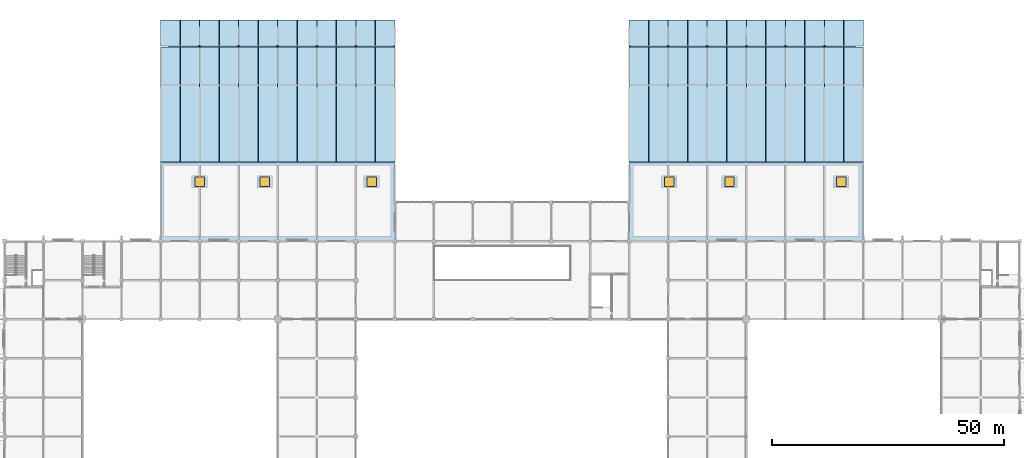
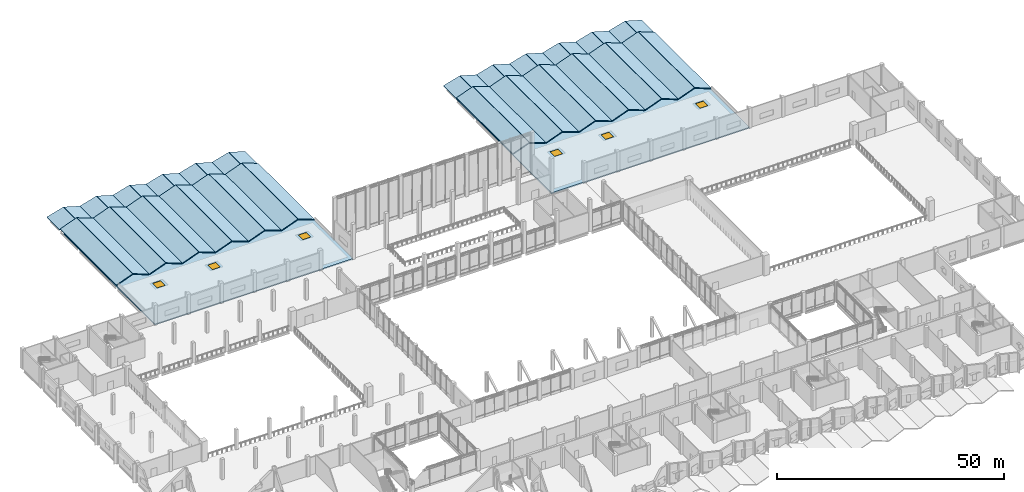
# One storey, part 46 of 72: 50 slabs, 6 windows, 6 openings.
"""IFC4 building model written with IfcOpenShell, lengths in metres."""

from ifc_helpers import new_model, si_unit, direction, frame, origin, origin_2d, place, context, subcontext, project, spatial, polyline, rectangle, outline, extrude, material, layer, layer_set, type_object, element, fill, save


model = new_model("IFC4")

# Units and contexts
model_context = context("Model", 3, precision=1e-05, world=origin(), true_north=direction((0.0, 1.0)))
body_context = subcontext(model_context, "Body", "Model", "MODEL_VIEW")
ifc_project = project(units=[si_unit("LENGTHUNIT", "METRE"), si_unit("AREAUNIT", "SQUARE_METRE"), si_unit("VOLUMEUNIT", "CUBIC_METRE"), si_unit("PLANEANGLEUNIT", "RADIAN"), si_unit("MASSUNIT", "GRAM", prefix="KILO")], contexts=[model_context])

# Site, building, storey
site_placement = place(None, origin())
site = spatial("IfcSite", under=ifc_project, at=site_placement, CompositionType="ELEMENT")
building_placement = place(site_placement, origin())
building = spatial("IfcBuilding", under=site, at=building_placement, Name="Qawsi Khor Wholesale Market", CompositionType="ELEMENT")
storey_placement = place(building_placement, frame((0.0, 0.0, 6.0)))
storey = spatial("IfcBuildingStorey", under=building, at=storey_placement, Name="L01", CompositionType="ELEMENT", Elevation=6.0)

# Slab, openings, windows
ifc_material_1 = material(Name="Concrete C40/50", Category="concrete")
ifc_layer_1 = layer(ifc_material_1, 0.300048828125, Name="Concrete C40/50")
ifc_layer_set_1 = layer_set([ifc_layer_1], Name="Concrete C40/50")
slab_type_1 = type_object("IfcSlabType", Name="Cold-Store Thermal Roof Slab 300 C40/50", PredefinedType="ROOF", material=ifc_layer_set_1)
slab_1_placement = place(storey_placement, frame((0.0, 0.0, -0.300048828125)))
slab_1 = element("IfcSlab", 1, at=slab_1_placement, inside=storey, type_object=slab_type_1, Name="NW Cold-Store Thermal Roof Slab", PredefinedType="ROOF", context=body_context, shape_type="SweptSolid", body=[
    extrude(outline(polyline([(33.60009765625, 109.199951171875), (84.0, 109.199951171875), (84.0, 151.199951171875), (35.39990234375, 151.199951171875), (33.60009765625, 149.39990234375), (33.60009765625, 109.199951171875)])), origin(), (0.0, 0.0, 1.0), 0.300048828125),
])
opening_1_placement = place(slab_1_placement, frame((42.0, 122.0, -0.010009765625)))
opening_1 = element("IfcOpeningElement", 2, at=opening_1_placement, cuts=slab_1, Name="Opening SK-03", PredefinedType="OPENING", context=body_context, shape_type="SweptSolid", body=[
    extrude(rectangle(XDim=2.0, YDim=2.0, at=origin_2d()), origin(), (0.0, 0.0, 1.0), 0.320068359375),
])
opening_2_placement = place(slab_1_placement, frame((56.0, 122.0, -0.010009765625)))
opening_2 = element("IfcOpeningElement", 3, at=opening_2_placement, cuts=slab_1, Name="Opening SK-03", PredefinedType="OPENING", context=body_context, shape_type="SweptSolid", body=[
    extrude(rectangle(XDim=2.0, YDim=2.0, at=origin_2d()), origin(), (0.0, 0.0, 1.0), 0.320068359375),
])
opening_3_placement = place(slab_1_placement, frame((79.0, 122.0, -0.010009765625)))
opening_3 = element("IfcOpeningElement", 4, at=opening_3_placement, cuts=slab_1, Name="Opening SK-03", PredefinedType="OPENING", context=body_context, shape_type="SweptSolid", body=[
    extrude(rectangle(XDim=2.0, YDim=2.0, at=origin_2d()), origin(), (0.0, 0.0, 1.0), 0.320068359375),
])
ifc_material_2 = material(Name="Thermally Broken Aluminium & Low-E Glass", Category="aluminium")
window_type = type_object("IfcWindowType", Name="Skylight SK-03 Cold-Store Plant Dome 2000x2000", PartitioningType="SINGLE_PANEL", PredefinedType="SKYLIGHT", material=ifc_material_2)
window_1_placement = place(opening_1_placement, frame((0.0, 0.0, 0.25)))
window_1 = element("IfcWindow", 5, at=window_1_placement, inside=storey, type_object=window_type, Name="Roof skylight 01", OverallHeight=2.0, OverallWidth=2.0, PartitioningType="SINGLE_PANEL", PredefinedType="SKYLIGHT", context=body_context, shape_type="SweptSolid", body=[
    extrude(rectangle(XDim=2.0, YDim=2.0, at=origin_2d()), origin(), (0.0, 0.0, 1.0), 0.050048828125),
])
fill(opening_1, window_1)
window_2_placement = place(opening_2_placement, frame((0.0, 0.0, 0.25)))
window_2 = element("IfcWindow", 6, at=window_2_placement, inside=storey, type_object=window_type, Name="Roof skylight 02", OverallHeight=2.0, OverallWidth=2.0, PartitioningType="SINGLE_PANEL", PredefinedType="SKYLIGHT", context=body_context, shape_type="SweptSolid", body=[
    extrude(rectangle(XDim=2.0, YDim=2.0, at=origin_2d()), origin(), (0.0, 0.0, 1.0), 0.050048828125),
])
fill(opening_2, window_2)
window_3_placement = place(opening_3_placement, frame((0.0, 0.0, 0.25)))
window_3 = element("IfcWindow", 7, at=window_3_placement, inside=storey, type_object=window_type, Name="Roof skylight 03", OverallHeight=2.0, OverallWidth=2.0, PartitioningType="SINGLE_PANEL", PredefinedType="SKYLIGHT", context=body_context, shape_type="SweptSolid", body=[
    extrude(rectangle(XDim=2.0, YDim=2.0, at=origin_2d()), origin(), (0.0, 0.0, 1.0), 0.050048828125),
])
fill(opening_3, window_3)

slab_2_placement = place(storey_placement, frame((0.0, 0.0, -0.300048828125)))
slab_2 = element("IfcSlab", 8, at=slab_2_placement, inside=storey, type_object=slab_type_1, Name="NE Cold-Store Thermal Roof Slab", PredefinedType="ROOF", context=body_context, shape_type="SweptSolid", body=[
    extrude(outline(polyline([(134.39990234375, 109.199951171875), (184.800048828125, 109.199951171875), (184.800048828125, 149.39990234375), (183.0, 151.199951171875), (134.39990234375, 151.199951171875), (134.39990234375, 109.199951171875)])), origin(), (0.0, 0.0, 1.0), 0.300048828125),
])
opening_4_placement = place(slab_2_placement, frame((143.0, 122.0, -0.010009765625)))
opening_4 = element("IfcOpeningElement", 9, at=opening_4_placement, cuts=slab_2, Name="Opening SK-03", PredefinedType="OPENING", context=body_context, shape_type="SweptSolid", body=[
    extrude(rectangle(XDim=2.0, YDim=2.0, at=origin_2d()), origin(), (0.0, 0.0, 1.0), 0.320068359375),
])
opening_5_placement = place(slab_2_placement, frame((156.0, 122.0, -0.010009765625)))
opening_5 = element("IfcOpeningElement", 10, at=opening_5_placement, cuts=slab_2, Name="Opening SK-03", PredefinedType="OPENING", context=body_context, shape_type="SweptSolid", body=[
    extrude(rectangle(XDim=2.0, YDim=2.0, at=origin_2d()), origin(), (0.0, 0.0, 1.0), 0.320068359375),
])
opening_6_placement = place(slab_2_placement, frame((180.0, 122.0, -0.010009765625)))
opening_6 = element("IfcOpeningElement", 11, at=opening_6_placement, cuts=slab_2, Name="Opening SK-03", PredefinedType="OPENING", context=body_context, shape_type="SweptSolid", body=[
    extrude(rectangle(XDim=2.0, YDim=2.0, at=origin_2d()), origin(), (0.0, 0.0, 1.0), 0.320068359375),
])
window_4_placement = place(opening_4_placement, frame((0.0, 0.0, 0.25)))
window_4 = element("IfcWindow", 12, at=window_4_placement, inside=storey, type_object=window_type, Name="Roof skylight 04", OverallHeight=2.0, OverallWidth=2.0, PartitioningType="SINGLE_PANEL", PredefinedType="SKYLIGHT", context=body_context, shape_type="SweptSolid", body=[
    extrude(rectangle(XDim=2.0, YDim=2.0, at=origin_2d()), origin(), (0.0, 0.0, 1.0), 0.050048828125),
])
fill(opening_4, window_4)
window_5_placement = place(opening_5_placement, frame((0.0, 0.0, 0.25)))
window_5 = element("IfcWindow", 13, at=window_5_placement, inside=storey, type_object=window_type, Name="Roof skylight 05", OverallHeight=2.0, OverallWidth=2.0, PartitioningType="SINGLE_PANEL", PredefinedType="SKYLIGHT", context=body_context, shape_type="SweptSolid", body=[
    extrude(rectangle(XDim=2.0, YDim=2.0, at=origin_2d()), origin(), (0.0, 0.0, 1.0), 0.050048828125),
])
fill(opening_5, window_5)
window_6_placement = place(opening_6_placement, frame((0.0, 0.0, 0.25)))
window_6 = element("IfcWindow", 14, at=window_6_placement, inside=storey, type_object=window_type, Name="Roof skylight 06", OverallHeight=2.0, OverallWidth=2.0, PartitioningType="SINGLE_PANEL", PredefinedType="SKYLIGHT", context=body_context, shape_type="SweptSolid", body=[
    extrude(rectangle(XDim=2.0, YDim=2.0, at=origin_2d()), origin(), (0.0, 0.0, 1.0), 0.050048828125),
])
fill(opening_6, window_6)

# Slabs
ifc_layer_2 = layer(ifc_material_1, 0.22998046875, Name="Concrete C40/50")
ifc_layer_set_2 = layer_set([ifc_layer_2], Name="Concrete C40/50")
slab_type_2 = type_object("IfcSlabType", Name="Folded Concrete Canopy Slab 230 C40/50", PredefinedType="ROOF", material=ifc_layer_set_2)
slab_3_placement = place(storey_placement, frame((33.60009765625, 126.199951171875, 0.22998046875), z_axis=(-0.349542193004, 0.0, 0.936920623805), x_axis=(0.936920623805, 0.0, 0.349542193004)))
element("IfcSlab", 15, at=slab_3_placement, inside=storey, type_object=slab_type_2, Name="NWC Cold-Store Folded Vault 1A", PredefinedType="ROOF", context=body_context, shape_type="SweptSolid", body=[
    extrude(outline(polyline([(0.0, 0.0), (4.434511367012946, 0.0), (4.434511367012946, 24.800048828125007), (0.0, 24.800048828125007), (0.0, 0.0)])), origin(), (0.0, 0.0, -1.0), 0.22998046875),
])
slab_4_placement = place(storey_placement, frame((37.844970703125, 126.199951171875, 1.780029296875), z_axis=(0.349524163829, 0.0, 0.936927349851), x_axis=(0.936927349851, 0.0, -0.349524163829)))
element("IfcSlab", 16, at=slab_4_placement, inside=storey, type_object=slab_type_2, Name="NWC Cold-Store Folded Vault 1B", PredefinedType="ROOF", context=body_context, shape_type="SweptSolid", body=[
    extrude(outline(polyline([(0.0, 0.0), (4.434740108220689, 0.0), (4.434740108220689, 24.800048828125), (0.0, 24.800048828125), (0.0, 0.0)])), origin(), (0.0, 0.0, -1.0), 0.22998046875),
])
slab_5_placement = place(storey_placement, frame((33.60009765625, 151.199951171875, -0.050048828125), z_axis=(-0.277471336107, 0.0, 0.960733916149), x_axis=(0.960733916149, 0.0, 0.277471336107)))
element("IfcSlab", 17, at=slab_5_placement, inside=storey, type_object=slab_type_2, Name="NWC Dock Folded Canopy 1A", PredefinedType="ROOF", context=body_context, shape_type="SweptSolid", body=[
    extrude(outline(polyline([(0.0, 0.0), (4.324595068845119, 0.0), (4.324595068845119, 5.60009765625), (0.0, 5.60009765625), (0.0, 0.0)])), origin(), (0.0, 0.0, -1.0), 0.22998046875),
])
slab_6_placement = place(storey_placement, frame((37.844970703125, 151.199951171875, 1.14990234375), z_axis=(0.277456287605, 0.0, 0.960738262207), x_axis=(0.960738262207, 0.0, -0.277456287605)))
element("IfcSlab", 18, at=slab_6_placement, inside=storey, type_object=slab_type_2, Name="NWC Dock Folded Canopy 1B", PredefinedType="ROOF", context=body_context, shape_type="SweptSolid", body=[
    extrude(outline(polyline([(0.0, 0.0), (4.324829623554406, 0.0), (4.324829623554406, 5.60009765625), (0.0, 5.60009765625), (0.0, 0.0)])), origin(), (0.0, 0.0, -1.0), 0.22998046875),
])
slab_7_placement = place(storey_placement, frame((42.0, 126.199951171875, 0.22998046875), z_axis=(-0.349524163829, 0.0, 0.936927349851), x_axis=(0.936927349851, 0.0, 0.349524163829)))
element("IfcSlab", 19, at=slab_7_placement, inside=storey, type_object=slab_type_2, Name="NWC Cold-Store Folded Vault 2A", PredefinedType="ROOF", context=body_context, shape_type="SweptSolid", body=[
    extrude(outline(polyline([(0.0, 0.0), (4.434740108220689, 0.0), (4.434740108220689, 24.800048828125), (0.0, 24.800048828125), (0.0, 0.0)])), origin(), (0.0, 0.0, -1.0), 0.22998046875),
])
slab_8_placement = place(storey_placement, frame((46.2451171875, 126.199951171875, 1.780029296875), z_axis=(0.349542193004, 0.0, 0.936920623805), x_axis=(0.936920623805, 0.0, -0.349542193004)))
element("IfcSlab", 20, at=slab_8_placement, inside=storey, type_object=slab_type_2, Name="NWC Cold-Store Folded Vault 2B", PredefinedType="ROOF", context=body_context, shape_type="SweptSolid", body=[
    extrude(outline(polyline([(0.0, 0.0), (4.434511367012946, 0.0), (4.434511367012946, 24.800048828125007), (0.0, 24.800048828125007), (0.0, 0.0)])), origin(), (0.0, 0.0, -1.0), 0.22998046875),
])
slab_9_placement = place(storey_placement, frame((42.0, 151.199951171875, -0.050048828125), z_axis=(-0.277456287605, 0.0, 0.960738262207), x_axis=(0.960738262207, 0.0, 0.277456287605)))
element("IfcSlab", 21, at=slab_9_placement, inside=storey, type_object=slab_type_2, Name="NWC Dock Folded Canopy 2A", PredefinedType="ROOF", context=body_context, shape_type="SweptSolid", body=[
    extrude(outline(polyline([(0.0, 0.0), (4.324829623554406, 0.0), (4.324829623554406, 5.60009765625), (0.0, 5.60009765625), (0.0, 0.0)])), origin(), (0.0, 0.0, -1.0), 0.22998046875),
])
slab_10_placement = place(storey_placement, frame((46.2451171875, 151.199951171875, 1.14990234375), z_axis=(0.277471336107, 0.0, 0.960733916149), x_axis=(0.960733916149, 0.0, -0.277471336107)))
element("IfcSlab", 22, at=slab_10_placement, inside=storey, type_object=slab_type_2, Name="NWC Dock Folded Canopy 2B", PredefinedType="ROOF", context=body_context, shape_type="SweptSolid", body=[
    extrude(outline(polyline([(0.0, 0.0), (4.324595068845119, 0.0), (4.324595068845119, 5.60009765625), (0.0, 5.60009765625), (0.0, 0.0)])), origin(), (0.0, 0.0, -1.0), 0.22998046875),
])
for number, where, z_axis, x_axis, name in (
    (23, (50.39990234375, 126.199951171875, 0.22998046875), (-0.349524163829, 0.0, 0.936927349851), (0.936927349851, 0.0, 0.349524163829), "NWC Cold-Store Folded Vault 3A"),
    (24, (54.64501953125, 126.199951171875, 1.780029296875), (0.349524163829, 0.0, 0.936927349851), (0.936927349851, 0.0, -0.349524163829), "NWC Cold-Store Folded Vault 3B"),
):
    element("IfcSlab", number, at=place(storey_placement, frame(where, z_axis=z_axis, x_axis=x_axis)), inside=storey, type_object=slab_type_2, Name=name, PredefinedType="ROOF", context=body_context, shape_type="SweptSolid", body=[
        extrude(outline(polyline([(0.0, 0.0), (4.434740108220689, 0.0), (4.434740108220689, 24.800048828125), (0.0, 24.800048828125), (0.0, 0.0)])), origin(), (0.0, 0.0, -1.0), 0.22998046875),
    ])
for number, where, z_axis, x_axis, name in (
    (25, (50.39990234375, 151.199951171875, -0.050048828125), (-0.277456287605, 0.0, 0.960738262207), (0.960738262207, 0.0, 0.277456287605), "NWC Dock Folded Canopy 3A"),
    (26, (54.64501953125, 151.199951171875, 1.14990234375), (0.277456287605, 0.0, 0.960738262207), (0.960738262207, 0.0, -0.277456287605), "NWC Dock Folded Canopy 3B"),
):
    element("IfcSlab", number, at=place(storey_placement, frame(where, z_axis=z_axis, x_axis=x_axis)), inside=storey, type_object=slab_type_2, Name=name, PredefinedType="ROOF", context=body_context, shape_type="SweptSolid", body=[
        extrude(outline(polyline([(0.0, 0.0), (4.324829623554406, 0.0), (4.324829623554406, 5.60009765625), (0.0, 5.60009765625), (0.0, 0.0)])), origin(), (0.0, 0.0, -1.0), 0.22998046875),
    ])
for number, where, z_axis, x_axis, name in (
    (27, (58.800048828125, 126.199951171875, 0.22998046875), (-0.349524163829, 0.0, 0.936927349851), (0.936927349851, 0.0, 0.349524163829), "NWC Cold-Store Folded Vault 4A"),
    (28, (63.044921875, 126.199951171875, 1.780029296875), (0.349524163829, 0.0, 0.936927349851), (0.936927349851, 0.0, -0.349524163829), "NWC Cold-Store Folded Vault 4B"),
):
    element("IfcSlab", number, at=place(storey_placement, frame(where, z_axis=z_axis, x_axis=x_axis)), inside=storey, type_object=slab_type_2, Name=name, PredefinedType="ROOF", context=body_context, shape_type="SweptSolid", body=[
        extrude(outline(polyline([(0.0, 0.0), (4.434740108220689, 0.0), (4.434740108220689, 24.800048828125), (0.0, 24.800048828125), (0.0, 0.0)])), origin(), (0.0, 0.0, -1.0), 0.22998046875),
    ])
for number, where, z_axis, x_axis, name in (
    (29, (58.800048828125, 151.199951171875, -0.050048828125), (-0.277456287605, 0.0, 0.960738262207), (0.960738262207, 0.0, 0.277456287605), "NWC Dock Folded Canopy 4A"),
    (30, (63.044921875, 151.199951171875, 1.14990234375), (0.277456287605, 0.0, 0.960738262207), (0.960738262207, 0.0, -0.277456287605), "NWC Dock Folded Canopy 4B"),
):
    element("IfcSlab", number, at=place(storey_placement, frame(where, z_axis=z_axis, x_axis=x_axis)), inside=storey, type_object=slab_type_2, Name=name, PredefinedType="ROOF", context=body_context, shape_type="SweptSolid", body=[
        extrude(outline(polyline([(0.0, 0.0), (4.324829623554406, 0.0), (4.324829623554406, 5.60009765625), (0.0, 5.60009765625), (0.0, 0.0)])), origin(), (0.0, 0.0, -1.0), 0.22998046875),
    ])
for number, where, z_axis, x_axis, name in (
    (31, (67.199951171875, 126.199951171875, 0.22998046875), (-0.349524163829, 0.0, 0.936927349851), (0.936927349851, 0.0, 0.349524163829), "NWC Cold-Store Folded Vault 5A"),
    (32, (71.445068359375, 126.199951171875, 1.780029296875), (0.349524163829, 0.0, 0.936927349851), (0.936927349851, 0.0, -0.349524163829), "NWC Cold-Store Folded Vault 5B"),
):
    element("IfcSlab", number, at=place(storey_placement, frame(where, z_axis=z_axis, x_axis=x_axis)), inside=storey, type_object=slab_type_2, Name=name, PredefinedType="ROOF", context=body_context, shape_type="SweptSolid", body=[
        extrude(outline(polyline([(0.0, 0.0), (4.434740108220689, 0.0), (4.434740108220689, 24.800048828125), (0.0, 24.800048828125), (0.0, 0.0)])), origin(), (0.0, 0.0, -1.0), 0.22998046875),
    ])
for number, where, z_axis, x_axis, name in (
    (33, (67.199951171875, 151.199951171875, -0.050048828125), (-0.277456287605, 0.0, 0.960738262207), (0.960738262207, 0.0, 0.277456287605), "NWC Dock Folded Canopy 5A"),
    (34, (71.445068359375, 151.199951171875, 1.14990234375), (0.277456287605, 0.0, 0.960738262207), (0.960738262207, 0.0, -0.277456287605), "NWC Dock Folded Canopy 5B"),
):
    element("IfcSlab", number, at=place(storey_placement, frame(where, z_axis=z_axis, x_axis=x_axis)), inside=storey, type_object=slab_type_2, Name=name, PredefinedType="ROOF", context=body_context, shape_type="SweptSolid", body=[
        extrude(outline(polyline([(0.0, 0.0), (4.324829623554406, 0.0), (4.324829623554406, 5.60009765625), (0.0, 5.60009765625), (0.0, 0.0)])), origin(), (0.0, 0.0, -1.0), 0.22998046875),
    ])
slab_11_placement = place(storey_placement, frame((75.60009765625, 126.199951171875, 0.22998046875), z_axis=(-0.349542193004, 0.0, 0.936920623805), x_axis=(0.936920623805, 0.0, 0.349542193004)))
element("IfcSlab", 35, at=slab_11_placement, inside=storey, type_object=slab_type_2, Name="NWC Cold-Store Folded Vault 6A", PredefinedType="ROOF", context=body_context, shape_type="SweptSolid", body=[
    extrude(outline(polyline([(0.0, 0.0), (4.434511367012946, 0.0), (4.434511367012946, 24.800048828125007), (0.0, 24.800048828125007), (0.0, 0.0)])), origin(), (0.0, 0.0, -1.0), 0.22998046875),
])
slab_12_placement = place(storey_placement, frame((79.844970703125, 126.199951171875, 1.780029296875), z_axis=(0.349524163829, 0.0, 0.936927349851), x_axis=(0.936927349851, 0.0, -0.349524163829)))
element("IfcSlab", 36, at=slab_12_placement, inside=storey, type_object=slab_type_2, Name="NWC Cold-Store Folded Vault 6B", PredefinedType="ROOF", context=body_context, shape_type="SweptSolid", body=[
    extrude(outline(polyline([(0.0, 0.0), (4.434740108220689, 0.0), (4.434740108220689, 24.800048828125), (0.0, 24.800048828125), (0.0, 0.0)])), origin(), (0.0, 0.0, -1.0), 0.22998046875),
])
slab_13_placement = place(storey_placement, frame((75.60009765625, 151.199951171875, -0.050048828125), z_axis=(-0.277471336107, 0.0, 0.960733916149), x_axis=(0.960733916149, 0.0, 0.277471336107)))
element("IfcSlab", 37, at=slab_13_placement, inside=storey, type_object=slab_type_2, Name="NWC Dock Folded Canopy 6A", PredefinedType="ROOF", context=body_context, shape_type="SweptSolid", body=[
    extrude(outline(polyline([(0.0, 0.0), (4.324595068845119, 0.0), (4.324595068845119, 5.60009765625), (0.0, 5.60009765625), (0.0, 0.0)])), origin(), (0.0, 0.0, -1.0), 0.22998046875),
])
slab_14_placement = place(storey_placement, frame((79.844970703125, 151.199951171875, 1.14990234375), z_axis=(0.277456287605, 0.0, 0.960738262207), x_axis=(0.960738262207, 0.0, -0.277456287605)))
element("IfcSlab", 38, at=slab_14_placement, inside=storey, type_object=slab_type_2, Name="NWC Dock Folded Canopy 6B", PredefinedType="ROOF", context=body_context, shape_type="SweptSolid", body=[
    extrude(outline(polyline([(0.0, 0.0), (4.324829623554406, 0.0), (4.324829623554406, 5.60009765625), (0.0, 5.60009765625), (0.0, 0.0)])), origin(), (0.0, 0.0, -1.0), 0.22998046875),
])
for number, where, z_axis, x_axis, name in (
    (39, (134.39990234375, 126.199951171875, 0.22998046875), (-0.349524163829, 0.0, 0.936927349851), (0.936927349851, 0.0, 0.349524163829), "NEC Cold-Store Folded Vault 1A"),
    (40, (138.64501953125, 126.199951171875, 1.780029296875), (0.349524163829, 0.0, 0.936927349851), (0.936927349851, 0.0, -0.349524163829), "NEC Cold-Store Folded Vault 1B"),
):
    element("IfcSlab", number, at=place(storey_placement, frame(where, z_axis=z_axis, x_axis=x_axis)), inside=storey, type_object=slab_type_2, Name=name, PredefinedType="ROOF", context=body_context, shape_type="SweptSolid", body=[
        extrude(outline(polyline([(0.0, 0.0), (4.434740108220689, 0.0), (4.434740108220689, 24.800048828125), (0.0, 24.800048828125), (0.0, 0.0)])), origin(), (0.0, 0.0, -1.0), 0.22998046875),
    ])
for number, where, z_axis, x_axis, name in (
    (41, (134.39990234375, 151.199951171875, -0.050048828125), (-0.277456287605, 0.0, 0.960738262207), (0.960738262207, 0.0, 0.277456287605), "NEC Dock Folded Canopy 1A"),
    (42, (138.64501953125, 151.199951171875, 1.14990234375), (0.277456287605, 0.0, 0.960738262207), (0.960738262207, 0.0, -0.277456287605), "NEC Dock Folded Canopy 1B"),
):
    element("IfcSlab", number, at=place(storey_placement, frame(where, z_axis=z_axis, x_axis=x_axis)), inside=storey, type_object=slab_type_2, Name=name, PredefinedType="ROOF", context=body_context, shape_type="SweptSolid", body=[
        extrude(outline(polyline([(0.0, 0.0), (4.324829623554406, 0.0), (4.324829623554406, 5.60009765625), (0.0, 5.60009765625), (0.0, 0.0)])), origin(), (0.0, 0.0, -1.0), 0.22998046875),
    ])
for number, where, z_axis, x_axis, name in (
    (43, (142.800048828125, 126.199951171875, 0.22998046875), (-0.349524163829, 0.0, 0.936927349851), (0.936927349851, 0.0, 0.349524163829), "NEC Cold-Store Folded Vault 2A"),
    (44, (147.044921875, 126.199951171875, 1.780029296875), (0.349524163829, 0.0, 0.936927349851), (0.936927349851, 0.0, -0.349524163829), "NEC Cold-Store Folded Vault 2B"),
):
    element("IfcSlab", number, at=place(storey_placement, frame(where, z_axis=z_axis, x_axis=x_axis)), inside=storey, type_object=slab_type_2, Name=name, PredefinedType="ROOF", context=body_context, shape_type="SweptSolid", body=[
        extrude(outline(polyline([(0.0, 0.0), (4.434740108220689, 0.0), (4.434740108220689, 24.800048828125), (0.0, 24.800048828125), (0.0, 0.0)])), origin(), (0.0, 0.0, -1.0), 0.22998046875),
    ])
for number, where, z_axis, x_axis, name in (
    (45, (142.800048828125, 151.199951171875, -0.050048828125), (-0.277456287605, 0.0, 0.960738262207), (0.960738262207, 0.0, 0.277456287605), "NEC Dock Folded Canopy 2A"),
    (46, (147.044921875, 151.199951171875, 1.14990234375), (0.277456287605, 0.0, 0.960738262207), (0.960738262207, 0.0, -0.277456287605), "NEC Dock Folded Canopy 2B"),
):
    element("IfcSlab", number, at=place(storey_placement, frame(where, z_axis=z_axis, x_axis=x_axis)), inside=storey, type_object=slab_type_2, Name=name, PredefinedType="ROOF", context=body_context, shape_type="SweptSolid", body=[
        extrude(outline(polyline([(0.0, 0.0), (4.324829623554406, 0.0), (4.324829623554406, 5.60009765625), (0.0, 5.60009765625), (0.0, 0.0)])), origin(), (0.0, 0.0, -1.0), 0.22998046875),
    ])
for number, where, z_axis, x_axis, name in (
    (47, (151.199951171875, 126.199951171875, 0.22998046875), (-0.349524163829, 0.0, 0.936927349851), (0.936927349851, 0.0, 0.349524163829), "NEC Cold-Store Folded Vault 3A"),
    (48, (155.445068359375, 126.199951171875, 1.780029296875), (0.349524163829, 0.0, 0.936927349851), (0.936927349851, 0.0, -0.349524163829), "NEC Cold-Store Folded Vault 3B"),
):
    element("IfcSlab", number, at=place(storey_placement, frame(where, z_axis=z_axis, x_axis=x_axis)), inside=storey, type_object=slab_type_2, Name=name, PredefinedType="ROOF", context=body_context, shape_type="SweptSolid", body=[
        extrude(outline(polyline([(0.0, 0.0), (4.434740108220689, 0.0), (4.434740108220689, 24.800048828125), (0.0, 24.800048828125), (0.0, 0.0)])), origin(), (0.0, 0.0, -1.0), 0.22998046875),
    ])
for number, where, z_axis, x_axis, name in (
    (49, (151.199951171875, 151.199951171875, -0.050048828125), (-0.277456287605, 0.0, 0.960738262207), (0.960738262207, 0.0, 0.277456287605), "NEC Dock Folded Canopy 3A"),
    (50, (155.445068359375, 151.199951171875, 1.14990234375), (0.277456287605, 0.0, 0.960738262207), (0.960738262207, 0.0, -0.277456287605), "NEC Dock Folded Canopy 3B"),
):
    element("IfcSlab", number, at=place(storey_placement, frame(where, z_axis=z_axis, x_axis=x_axis)), inside=storey, type_object=slab_type_2, Name=name, PredefinedType="ROOF", context=body_context, shape_type="SweptSolid", body=[
        extrude(outline(polyline([(0.0, 0.0), (4.324829623554406, 0.0), (4.324829623554406, 5.60009765625), (0.0, 5.60009765625), (0.0, 0.0)])), origin(), (0.0, 0.0, -1.0), 0.22998046875),
    ])
slab_15_placement = place(storey_placement, frame((159.60009765625, 126.199951171875, 0.22998046875), z_axis=(-0.349542193004, 0.0, 0.936920623805), x_axis=(0.936920623805, 0.0, 0.349542193004)))
element("IfcSlab", 51, at=slab_15_placement, inside=storey, type_object=slab_type_2, Name="NEC Cold-Store Folded Vault 4A", PredefinedType="ROOF", context=body_context, shape_type="SweptSolid", body=[
    extrude(outline(polyline([(0.0, 0.0), (4.434511367012946, 0.0), (4.434511367012946, 24.800048828125007), (0.0, 24.800048828125007), (0.0, 0.0)])), origin(), (0.0, 0.0, -1.0), 0.22998046875),
])
slab_16_placement = place(storey_placement, frame((163.844970703125, 126.199951171875, 1.780029296875), z_axis=(0.349524163829, 0.0, 0.936927349851), x_axis=(0.936927349851, 0.0, -0.349524163829)))
element("IfcSlab", 52, at=slab_16_placement, inside=storey, type_object=slab_type_2, Name="NEC Cold-Store Folded Vault 4B", PredefinedType="ROOF", context=body_context, shape_type="SweptSolid", body=[
    extrude(outline(polyline([(0.0, 0.0), (4.434740108220689, 0.0), (4.434740108220689, 24.800048828125), (0.0, 24.800048828125), (0.0, 0.0)])), origin(), (0.0, 0.0, -1.0), 0.22998046875),
])
slab_17_placement = place(storey_placement, frame((159.60009765625, 151.199951171875, -0.050048828125), z_axis=(-0.277471336107, 0.0, 0.960733916149), x_axis=(0.960733916149, 0.0, 0.277471336107)))
element("IfcSlab", 53, at=slab_17_placement, inside=storey, type_object=slab_type_2, Name="NEC Dock Folded Canopy 4A", PredefinedType="ROOF", context=body_context, shape_type="SweptSolid", body=[
    extrude(outline(polyline([(0.0, 0.0), (4.324595068845119, 0.0), (4.324595068845119, 5.60009765625), (0.0, 5.60009765625), (0.0, 0.0)])), origin(), (0.0, 0.0, -1.0), 0.22998046875),
])
slab_18_placement = place(storey_placement, frame((163.844970703125, 151.199951171875, 1.14990234375), z_axis=(0.277456287605, 0.0, 0.960738262207), x_axis=(0.960738262207, 0.0, -0.277456287605)))
element("IfcSlab", 54, at=slab_18_placement, inside=storey, type_object=slab_type_2, Name="NEC Dock Folded Canopy 4B", PredefinedType="ROOF", context=body_context, shape_type="SweptSolid", body=[
    extrude(outline(polyline([(0.0, 0.0), (4.324829623554406, 0.0), (4.324829623554406, 5.60009765625), (0.0, 5.60009765625), (0.0, 0.0)])), origin(), (0.0, 0.0, -1.0), 0.22998046875),
])
slab_19_placement = place(storey_placement, frame((168.0, 126.199951171875, 0.22998046875), z_axis=(-0.349524163829, 0.0, 0.936927349851), x_axis=(0.936927349851, 0.0, 0.349524163829)))
element("IfcSlab", 55, at=slab_19_placement, inside=storey, type_object=slab_type_2, Name="NEC Cold-Store Folded Vault 5A", PredefinedType="ROOF", context=body_context, shape_type="SweptSolid", body=[
    extrude(outline(polyline([(0.0, 0.0), (4.434740108220689, 0.0), (4.434740108220689, 24.800048828125), (0.0, 24.800048828125), (0.0, 0.0)])), origin(), (0.0, 0.0, -1.0), 0.22998046875),
])
slab_20_placement = place(storey_placement, frame((172.2451171875, 126.199951171875, 1.780029296875), z_axis=(0.349542193004, 0.0, 0.936920623805), x_axis=(0.936920623805, 0.0, -0.349542193004)))
element("IfcSlab", 56, at=slab_20_placement, inside=storey, type_object=slab_type_2, Name="NEC Cold-Store Folded Vault 5B", PredefinedType="ROOF", context=body_context, shape_type="SweptSolid", body=[
    extrude(outline(polyline([(0.0, 0.0), (4.434511367012946, 0.0), (4.434511367012946, 24.800048828125007), (0.0, 24.800048828125007), (0.0, 0.0)])), origin(), (0.0, 0.0, -1.0), 0.22998046875),
])
slab_21_placement = place(storey_placement, frame((168.0, 151.199951171875, -0.050048828125), z_axis=(-0.277456287605, 0.0, 0.960738262207), x_axis=(0.960738262207, 0.0, 0.277456287605)))
element("IfcSlab", 57, at=slab_21_placement, inside=storey, type_object=slab_type_2, Name="NEC Dock Folded Canopy 5A", PredefinedType="ROOF", context=body_context, shape_type="SweptSolid", body=[
    extrude(outline(polyline([(0.0, 0.0), (4.324829623554406, 0.0), (4.324829623554406, 5.60009765625), (0.0, 5.60009765625), (0.0, 0.0)])), origin(), (0.0, 0.0, -1.0), 0.22998046875),
])
slab_22_placement = place(storey_placement, frame((172.2451171875, 151.199951171875, 1.14990234375), z_axis=(0.277471336107, 0.0, 0.960733916149), x_axis=(0.960733916149, 0.0, -0.277471336107)))
element("IfcSlab", 58, at=slab_22_placement, inside=storey, type_object=slab_type_2, Name="NEC Dock Folded Canopy 5B", PredefinedType="ROOF", context=body_context, shape_type="SweptSolid", body=[
    extrude(outline(polyline([(0.0, 0.0), (4.324595068845119, 0.0), (4.324595068845119, 5.60009765625), (0.0, 5.60009765625), (0.0, 0.0)])), origin(), (0.0, 0.0, -1.0), 0.22998046875),
])
for number, where, z_axis, x_axis, name in (
    (59, (176.39990234375, 126.199951171875, 0.22998046875), (-0.349524163829, 0.0, 0.936927349851), (0.936927349851, 0.0, 0.349524163829), "NEC Cold-Store Folded Vault 6A"),
    (60, (180.64501953125, 126.199951171875, 1.780029296875), (0.349524163829, 0.0, 0.936927349851), (0.936927349851, 0.0, -0.349524163829), "NEC Cold-Store Folded Vault 6B"),
):
    element("IfcSlab", number, at=place(storey_placement, frame(where, z_axis=z_axis, x_axis=x_axis)), inside=storey, type_object=slab_type_2, Name=name, PredefinedType="ROOF", context=body_context, shape_type="SweptSolid", body=[
        extrude(outline(polyline([(0.0, 0.0), (4.434740108220689, 0.0), (4.434740108220689, 24.800048828125), (0.0, 24.800048828125), (0.0, 0.0)])), origin(), (0.0, 0.0, -1.0), 0.22998046875),
    ])
for number, where, z_axis, x_axis, name in (
    (61, (176.39990234375, 151.199951171875, -0.050048828125), (-0.277456287605, 0.0, 0.960738262207), (0.960738262207, 0.0, 0.277456287605), "NEC Dock Folded Canopy 6A"),
    (62, (180.64501953125, 151.199951171875, 1.14990234375), (0.277456287605, 0.0, 0.960738262207), (0.960738262207, 0.0, -0.277456287605), "NEC Dock Folded Canopy 6B"),
):
    element("IfcSlab", number, at=place(storey_placement, frame(where, z_axis=z_axis, x_axis=x_axis)), inside=storey, type_object=slab_type_2, Name=name, PredefinedType="ROOF", context=body_context, shape_type="SweptSolid", body=[
        extrude(outline(polyline([(0.0, 0.0), (4.324829623554406, 0.0), (4.324829623554406, 5.60009765625), (0.0, 5.60009765625), (0.0, 0.0)])), origin(), (0.0, 0.0, -1.0), 0.22998046875),
    ])

save(model, "model.ifc")
